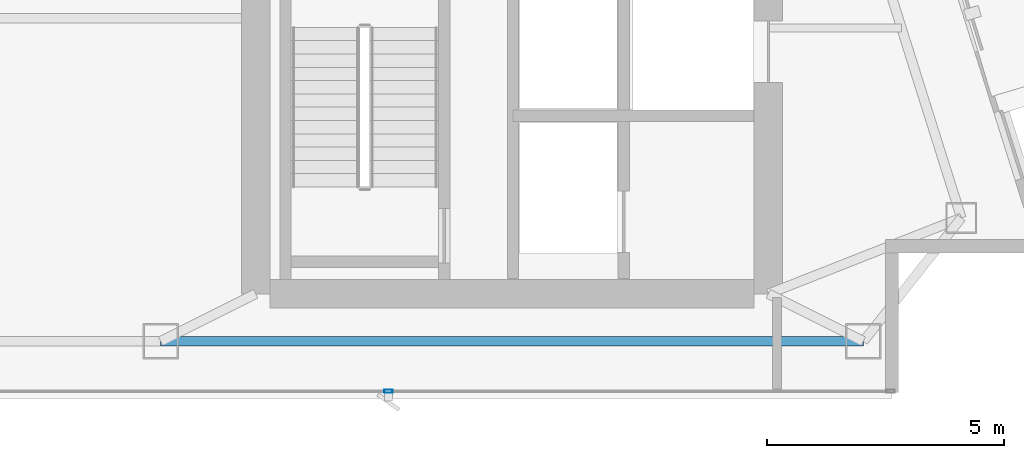
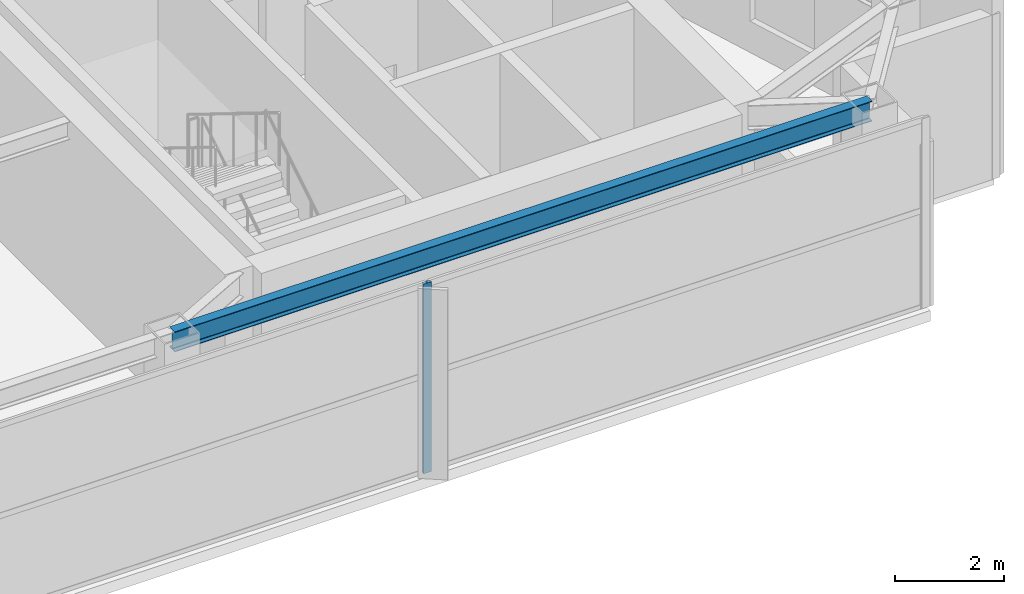
# One storey, part 7 of 25: 1 beam, 1 member, 1 element without a shape of its own.
"""IFC4 building model written with IfcOpenShell, lengths in metres."""

from ifc_helpers import new_model, si_unit, direction, frame, origin, origin_2d, place, context, subcontext, project, spatial, hollow_rectangle, i_section, extrude, material, layer, layer_set, material_profile, profile_set, type_object, element, aggregate, save


model = new_model("IFC4")

# Units and contexts
model_context = context("Model", 3, precision=1e-05, world=origin(), true_north=direction((0.0, 1.0)))
body_context = subcontext(model_context, "Body", "Model", "MODEL_VIEW")
ifc_project = project(units=[si_unit("LENGTHUNIT", "METRE"), si_unit("AREAUNIT", "SQUARE_METRE"), si_unit("VOLUMEUNIT", "CUBIC_METRE"), si_unit("PLANEANGLEUNIT", "RADIAN"), si_unit("MASSUNIT", "GRAM", prefix="KILO")], contexts=[model_context])

# Site, building, storey
site_placement = place(None, origin())
site = spatial("IfcSite", under=ifc_project, at=site_placement, CompositionType="ELEMENT")
building_placement = place(site_placement, origin())
building = spatial("IfcBuilding", under=site, at=building_placement, Name="Calvorn Quay Hotel", CompositionType="ELEMENT")
storey_placement = place(building_placement, frame((0.0, 0.0, 311.5)))
storey = spatial("IfcBuildingStorey", under=building, at=storey_placement, Name="L77", CompositionType="ELEMENT", Elevation=311.5)

# Beam
ifc_material_1 = material(Name="Steel Q355B", Category="steel")
ifc_material_profile_1 = material_profile(ifc_material_1, i_section(OverallWidth=0.199951171875, OverallDepth=0.449951171875, WebThickness=0.009033203125, FlangeThickness=0.013916015625, FilletRadius=0.01611328125, at=origin_2d()), Name="HN450x200x9x14")
ifc_profile_set_1 = profile_set([ifc_material_profile_1], Name="Steel Q355B")
beam_type = type_object("IfcBeamType", Name="BM-SPANDREL-Z3", PredefinedType="SPANDREL", material=ifc_profile_set_1)
beam_placement = place(storey_placement, frame((19.60009765625, 3.60009765625, 4.014892578125), z_axis=(1.0, 0.0, 0.0), x_axis=(0.0, 1.0, 0.0)))
element("IfcBeam", 1, at=beam_placement, inside=storey, type_object=beam_type, Name="Beam BSP-L77-S3", PredefinedType="SPANDREL", context=body_context, shape_type="SweptSolid", body=[
    extrude(i_section(OverallWidth=0.199951171875, OverallDepth=0.449951171875, WebThickness=0.009033203125, FlangeThickness=0.013916015625, FilletRadius=0.01611328125, at=origin_2d()), origin(), (0.0, 0.0, 1.0), 14.7998046875),
])

# Curtain wall, member
ifc_material_2 = material(Name="Champagne Bronze Anodised Aluminium and Low-E Glass", Category="aluminium")
ifc_layer = layer(ifc_material_2, 0.219970703125)
ifc_layer_set = layer_set([ifc_layer], Name="CW-SYS-Z4")
curtain_wall_type = type_object("IfcCurtainWallType", Name="CW-SYS-Z4", PredefinedType="NOTDEFINED", material=ifc_layer_set)
curtain_wall_placement = place(storey_placement, origin())
curtain_wall = element("IfcCurtainWall", 2, at=curtain_wall_placement, inside=storey, type_object=curtain_wall_type, Name="Tower South Waterfront Curtain Wall (L77)", PredefinedType="NOTDEFINED")
ifc_material_3 = material(Name="Champagne Bronze Anodised Aluminium 6063-T6", Category="aluminium")
ifc_material_profile_2 = material_profile(ifc_material_3, hollow_rectangle(XDim=0.06494140625, YDim=0.169921875, WallThickness=0.00341796875, at=origin_2d()), Name="ALU-M170x65x3.5")
ifc_profile_set_2 = profile_set([ifc_material_profile_2], Name="Champagne Bronze Anodised Aluminium 6063-T6")
member_type = type_object("IfcMemberType", Name="CW-SYS-Z4-MUL", PredefinedType="MULLION", material=ifc_profile_set_2)
member_placement = place(storey_placement, frame((24.39990234375, 2.550048828125, 0.0), z_axis=(0.0, 0.0, 1.0), x_axis=(0.0, 1.0, 0.0)))
member = element("IfcMember", 3, at=member_placement, type_object=member_type, Name="CW-L77-S mullion 3", PredefinedType="MULLION", context=body_context, shape_type="SweptSolid", body=[
    extrude(hollow_rectangle(XDim=0.06494140625, YDim=0.169921875, WallThickness=0.00341796875, at=origin_2d()), origin(), (0.0, 0.0, 1.0), 4.260009765625),
])
aggregate(curtain_wall, [member])

save(model, "model.ifc")
